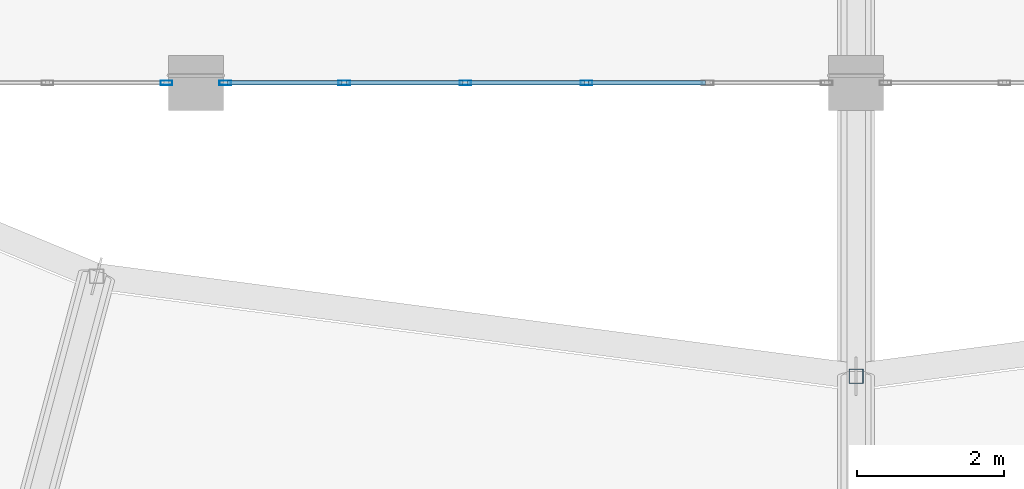
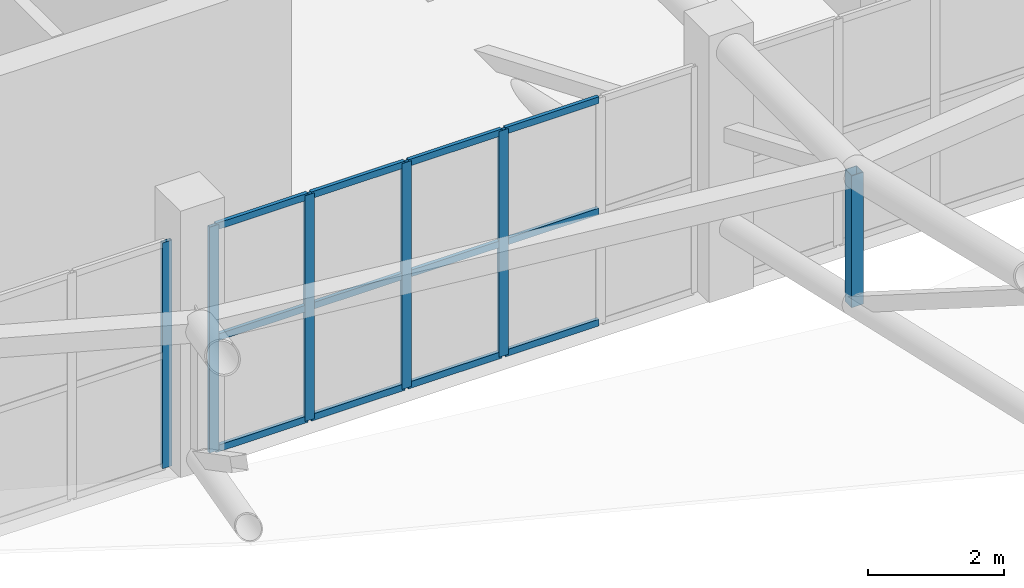
# One storey, part 26 of 167: 18 members, 2 elements without a shape of their own.
"""IFC4 building model written with IfcOpenShell, lengths in metres."""

from ifc_helpers import new_model, si_unit, direction, frame, origin, origin_2d, place, context, subcontext, project, spatial, hollow_rectangle, extrude, material, layer, layer_set, material_profile, profile_set, type_object, element, aggregate, save


model = new_model("IFC4")

# Units and contexts
model_context = context("Model", 3, precision=1e-05, world=origin(), true_north=direction((0.0, 1.0)))
body_context = subcontext(model_context, "Body", "Model", "MODEL_VIEW")
ifc_project = project(units=[si_unit("LENGTHUNIT", "METRE"), si_unit("AREAUNIT", "SQUARE_METRE"), si_unit("VOLUMEUNIT", "CUBIC_METRE"), si_unit("PLANEANGLEUNIT", "RADIAN"), si_unit("MASSUNIT", "GRAM", prefix="KILO")], contexts=[model_context])

# Site, building, storey
site_placement = place(None, origin())
site = spatial("IfcSite", under=ifc_project, at=site_placement, CompositionType="ELEMENT")
building_placement = place(site_placement, origin())
building = spatial("IfcBuilding", under=site, at=building_placement, Name="Dornveld Trade and Exhibition Forum", CompositionType="ELEMENT")
storey_placement = place(building_placement, frame((0.0, 0.0, 16.800048828125)))
storey = spatial("IfcBuildingStorey", under=building, at=storey_placement, Name="L03", CompositionType="ELEMENT", Elevation=16.800048828125)

# Curtain wall, member
ifc_material_1 = material(Name="Dark-bronze anodised aluminium and low-E glass", Category="aluminium")
ifc_layer_1 = layer(ifc_material_1, 0.193115234375)
ifc_layer_set_1 = layer_set([ifc_layer_1], Name="Dark-bronze anodised aluminium and low-E glass")
curtain_wall_type_1 = type_object("IfcCurtainWallType", Name="CW-SYS-17", PredefinedType="USERDEFINED", material=ifc_layer_set_1)
curtain_wall_1_placement = place(storey_placement, origin())
curtain_wall_1 = element("IfcCurtainWall", 1, at=curtain_wall_1_placement, inside=storey, type_object=curtain_wall_type_1, Name="L03 unitised curtain wall 53", ObjectType="UNITISED_CURTAIN_WALL", PredefinedType="USERDEFINED")
ifc_material_2 = material(Name="Dark-bronze anodised aluminium", Category="aluminium")
ifc_material_profile_1 = material_profile(ifc_material_2, hollow_rectangle(XDim=0.06005859375, YDim=0.159912109375, WallThickness=0.00390625, at=origin_2d()), Name="RHS 160x60x4")
ifc_profile_set_1 = profile_set([ifc_material_profile_1], Name="Dark-bronze anodised aluminium")
member_type_1 = type_object("IfcMemberType", Name="CW-MUL-160", PredefinedType="MULLION", material=ifc_profile_set_1)
member_1_placement = place(storey_placement, frame((107.59912109375, 45.0, -0.004150390625), z_axis=(0.0, 0.0, 1.0), x_axis=(0.0, 1.0, 0.0)))
member_1 = element("IfcMember", 2, at=member_1_placement, type_object=member_type_1, Name="CW-17 mullion 6", PredefinedType="MULLION", context=body_context, shape_type="SweptSolid", body=[
    extrude(hollow_rectangle(XDim=0.06005859375, YDim=0.159912109375, WallThickness=0.00390625, at=origin_2d()), origin(), (0.0, 0.0, 1.0), 4.064208984375),
])
aggregate(curtain_wall_1, [member_1])

# Curtain wall, members
ifc_material_3 = material(Name="Dark-bronze anodised aluminium and low-E glass", Category="aluminium")
ifc_layer_2 = layer(ifc_material_3, 0.196044921875)
ifc_layer_set_2 = layer_set([ifc_layer_2], Name="Dark-bronze anodised aluminium and low-E glass")
curtain_wall_type_2 = type_object("IfcCurtainWallType", Name="CW-SYS-18", PredefinedType="USERDEFINED", material=ifc_layer_set_2)
curtain_wall_2_placement = place(storey_placement, origin())
curtain_wall_2 = element("IfcCurtainWall", 3, at=curtain_wall_2_placement, inside=storey, type_object=curtain_wall_type_2, Name="L03 unitised curtain wall 54", ObjectType="UNITISED_CURTAIN_WALL", PredefinedType="USERDEFINED")
member_2_placement = place(storey_placement, frame((108.40087890625, 45.0, -0.004150390625), z_axis=(0.0, 0.0, 1.0), x_axis=(0.0, 1.0, 0.0)))
member_2 = element("IfcMember", 4, at=member_2_placement, type_object=member_type_1, Name="CW-18 mullion 1", PredefinedType="MULLION", context=body_context, shape_type="SweptSolid", body=[
    extrude(hollow_rectangle(XDim=0.06005859375, YDim=0.159912109375, WallThickness=0.00390625, at=origin_2d()), origin(), (0.0, 0.0, 1.0), 4.064208984375),
])
member_3_placement = place(storey_placement, frame((110.022705078125, 45.0, -0.004150390625), z_axis=(0.0, 0.0, 1.0), x_axis=(0.0, 1.0, 0.0)))
member_3 = element("IfcMember", 5, at=member_3_placement, type_object=member_type_1, Name="CW-18 mullion 2", PredefinedType="MULLION", context=body_context, shape_type="SweptSolid", body=[
    extrude(hollow_rectangle(XDim=0.06005859375, YDim=0.159912109375, WallThickness=0.00390625, at=origin_2d()), origin(), (0.0, 0.0, 1.0), 4.064208984375),
])
member_4_placement = place(storey_placement, frame((111.67431640625, 45.0, -0.004150390625), z_axis=(0.0, 0.0, 1.0), x_axis=(0.0, 1.0, 0.0)))
member_4 = element("IfcMember", 6, at=member_4_placement, type_object=member_type_1, Name="CW-18 mullion 3", PredefinedType="MULLION", context=body_context, shape_type="SweptSolid", body=[
    extrude(hollow_rectangle(XDim=0.06005859375, YDim=0.159912109375, WallThickness=0.00390625, at=origin_2d()), origin(), (0.0, 0.0, 1.0), 4.064208984375),
])
member_5_placement = place(storey_placement, frame((113.32568359375, 45.0, -0.004150390625), z_axis=(0.0, 0.0, 1.0), x_axis=(0.0, 1.0, 0.0)))
member_5 = element("IfcMember", 7, at=member_5_placement, type_object=member_type_1, Name="CW-18 mullion 4", PredefinedType="MULLION", context=body_context, shape_type="SweptSolid", body=[
    extrude(hollow_rectangle(XDim=0.06005859375, YDim=0.159912109375, WallThickness=0.00390625, at=origin_2d()), origin(), (0.0, 0.0, 1.0), 4.064208984375),
])
ifc_material_4 = material(Name="Dark-bronze anodised aluminium", Category="aluminium")
ifc_material_profile_2 = material_profile(ifc_material_4, hollow_rectangle(XDim=0.06005859375, YDim=0.1201171875, WallThickness=0.00390625, at=origin_2d()), Name="RHS 120x60x4")
ifc_profile_set_2 = profile_set([ifc_material_profile_2], Name="Dark-bronze anodised aluminium")
member_type_2 = type_object("IfcMemberType", Name="CW-TRN-120", PredefinedType="USERDEFINED", material=ifc_profile_set_2)
member_6_placement = place(storey_placement, frame((108.430908203125, 45.0, 0.02587890625), z_axis=(1.0, 0.0, 0.0), x_axis=(0.0, 1.0, 0.0)))
member_6 = element("IfcMember", 8, at=member_6_placement, type_object=member_type_2, Name="CW-18 transom 1.1", ObjectType="TRANSOM", PredefinedType="USERDEFINED", context=body_context, shape_type="SweptSolid", body=[
    extrude(hollow_rectangle(XDim=0.06005859375, YDim=0.1201171875, WallThickness=0.00390625, at=origin_2d()), origin(), (0.0, 0.0, 1.0), 1.561767578125),
])
member_7_placement = place(storey_placement, frame((108.430908203125, 45.0, 2.02783203125), z_axis=(1.0, 0.0, 0.0), x_axis=(0.0, 1.0, 0.0)))
member_7 = element("IfcMember", 9, at=member_7_placement, type_object=member_type_2, Name="CW-18 transom 1.2", ObjectType="TRANSOM", PredefinedType="USERDEFINED", context=body_context, shape_type="SweptSolid", body=[
    extrude(hollow_rectangle(XDim=0.06005859375, YDim=0.1201171875, WallThickness=0.00390625, at=origin_2d()), origin(), (0.0, 0.0, 1.0), 1.561767578125),
])
member_8_placement = place(storey_placement, frame((108.430908203125, 45.0, 4.030029296875), z_axis=(1.0, 0.0, 0.0), x_axis=(0.0, 1.0, 0.0)))
member_8 = element("IfcMember", 10, at=member_8_placement, type_object=member_type_2, Name="CW-18 transom 1.3", ObjectType="TRANSOM", PredefinedType="USERDEFINED", context=body_context, shape_type="SweptSolid", body=[
    extrude(hollow_rectangle(XDim=0.06005859375, YDim=0.1201171875, WallThickness=0.00390625, at=origin_2d()), origin(), (0.0, 0.0, 1.0), 1.561767578125),
])
member_9_placement = place(storey_placement, frame((110.052490234375, 45.0, 0.02587890625), z_axis=(1.0, 0.0, 0.0), x_axis=(0.0, 1.0, 0.0)))
member_9 = element("IfcMember", 11, at=member_9_placement, type_object=member_type_2, Name="CW-18 transom 2.1", ObjectType="TRANSOM", PredefinedType="USERDEFINED", context=body_context, shape_type="SweptSolid", body=[
    extrude(hollow_rectangle(XDim=0.06005859375, YDim=0.1201171875, WallThickness=0.00390625, at=origin_2d()), origin(), (0.0, 0.0, 1.0), 1.591796875),
])
member_10_placement = place(storey_placement, frame((110.052490234375, 45.0, 2.02783203125), z_axis=(1.0, 0.0, 0.0), x_axis=(0.0, 1.0, 0.0)))
member_10 = element("IfcMember", 12, at=member_10_placement, type_object=member_type_2, Name="CW-18 transom 2.2", ObjectType="TRANSOM", PredefinedType="USERDEFINED", context=body_context, shape_type="SweptSolid", body=[
    extrude(hollow_rectangle(XDim=0.06005859375, YDim=0.1201171875, WallThickness=0.00390625, at=origin_2d()), origin(), (0.0, 0.0, 1.0), 1.591796875),
])
member_11_placement = place(storey_placement, frame((110.052490234375, 45.0, 4.030029296875), z_axis=(1.0, 0.0, 0.0), x_axis=(0.0, 1.0, 0.0)))
member_11 = element("IfcMember", 13, at=member_11_placement, type_object=member_type_2, Name="CW-18 transom 2.3", ObjectType="TRANSOM", PredefinedType="USERDEFINED", context=body_context, shape_type="SweptSolid", body=[
    extrude(hollow_rectangle(XDim=0.06005859375, YDim=0.1201171875, WallThickness=0.00390625, at=origin_2d()), origin(), (0.0, 0.0, 1.0), 1.591796875),
])
member_12_placement = place(storey_placement, frame((111.7041015625, 45.0, 0.02587890625), z_axis=(1.0, 0.0, 0.0), x_axis=(0.0, 1.0, 0.0)))
member_12 = element("IfcMember", 14, at=member_12_placement, type_object=member_type_2, Name="CW-18 transom 3.1", ObjectType="TRANSOM", PredefinedType="USERDEFINED", context=body_context, shape_type="SweptSolid", body=[
    extrude(hollow_rectangle(XDim=0.06005859375, YDim=0.1201171875, WallThickness=0.00390625, at=origin_2d()), origin(), (0.0, 0.0, 1.0), 1.591796875),
])
member_13_placement = place(storey_placement, frame((111.7041015625, 45.0, 2.02783203125), z_axis=(1.0, 0.0, 0.0), x_axis=(0.0, 1.0, 0.0)))
member_13 = element("IfcMember", 15, at=member_13_placement, type_object=member_type_2, Name="CW-18 transom 3.2", ObjectType="TRANSOM", PredefinedType="USERDEFINED", context=body_context, shape_type="SweptSolid", body=[
    extrude(hollow_rectangle(XDim=0.06005859375, YDim=0.1201171875, WallThickness=0.00390625, at=origin_2d()), origin(), (0.0, 0.0, 1.0), 1.591796875),
])
member_14_placement = place(storey_placement, frame((111.7041015625, 45.0, 4.030029296875), z_axis=(1.0, 0.0, 0.0), x_axis=(0.0, 1.0, 0.0)))
member_14 = element("IfcMember", 16, at=member_14_placement, type_object=member_type_2, Name="CW-18 transom 3.3", ObjectType="TRANSOM", PredefinedType="USERDEFINED", context=body_context, shape_type="SweptSolid", body=[
    extrude(hollow_rectangle(XDim=0.06005859375, YDim=0.1201171875, WallThickness=0.00390625, at=origin_2d()), origin(), (0.0, 0.0, 1.0), 1.591796875),
])
member_15_placement = place(storey_placement, frame((113.355712890625, 45.0, 0.02587890625), z_axis=(1.0, 0.0, 0.0), x_axis=(0.0, 1.0, 0.0)))
member_15 = element("IfcMember", 17, at=member_15_placement, type_object=member_type_2, Name="CW-18 transom 4.1", ObjectType="TRANSOM", PredefinedType="USERDEFINED", context=body_context, shape_type="SweptSolid", body=[
    extrude(hollow_rectangle(XDim=0.06005859375, YDim=0.1201171875, WallThickness=0.00390625, at=origin_2d()), origin(), (0.0, 0.0, 1.0), 1.591796875),
])
member_16_placement = place(storey_placement, frame((113.355712890625, 45.0, 2.02783203125), z_axis=(1.0, 0.0, 0.0), x_axis=(0.0, 1.0, 0.0)))
member_16 = element("IfcMember", 18, at=member_16_placement, type_object=member_type_2, Name="CW-18 transom 4.2", ObjectType="TRANSOM", PredefinedType="USERDEFINED", context=body_context, shape_type="SweptSolid", body=[
    extrude(hollow_rectangle(XDim=0.06005859375, YDim=0.1201171875, WallThickness=0.00390625, at=origin_2d()), origin(), (0.0, 0.0, 1.0), 1.591796875),
])
member_17_placement = place(storey_placement, frame((113.355712890625, 45.0, 4.030029296875), z_axis=(1.0, 0.0, 0.0), x_axis=(0.0, 1.0, 0.0)))
member_17 = element("IfcMember", 19, at=member_17_placement, type_object=member_type_2, Name="CW-18 transom 4.3", ObjectType="TRANSOM", PredefinedType="USERDEFINED", context=body_context, shape_type="SweptSolid", body=[
    extrude(hollow_rectangle(XDim=0.06005859375, YDim=0.1201171875, WallThickness=0.00390625, at=origin_2d()), origin(), (0.0, 0.0, 1.0), 1.591796875),
])
aggregate(curtain_wall_2, [member_2, member_3, member_4, member_5, member_6, member_7, member_8, member_9, member_10, member_11, member_12, member_13, member_14, member_15, member_16, member_17])

# Member
ifc_material_5 = material(Name="Steel S355J2", Category="steel")
ifc_material_profile_3 = material_profile(ifc_material_5, hollow_rectangle(XDim=0.199951171875, YDim=0.199951171875, WallThickness=0.010009765625, at=origin_2d()), Name="SHS 200x200x10")
ifc_profile_set_3 = profile_set([ifc_material_profile_3], Name="Steel S355J2")
member_type_3 = type_object("IfcMemberType", Name="MEM-DISC-STR", PredefinedType="STRUT", material=ifc_profile_set_3)
member_18_placement = place(storey_placement, frame((117.0, 41.0, 2.07568359375), z_axis=(0.0, 0.0, 1.0), x_axis=(1.0, 0.0, 0.0)))
element("IfcMember", 20, at=member_18_placement, inside=storey, type_object=member_type_3, Name="Roof disc radial R19 strut 3", PredefinedType="STRUT", context=body_context, shape_type="SweptSolid", body=[
    extrude(hollow_rectangle(XDim=0.199951171875, YDim=0.199951171875, WallThickness=0.010009765625, at=origin_2d()), origin(), (0.0, 0.0, 1.0), 2.374267578125),
])

save(model, "model.ifc")
